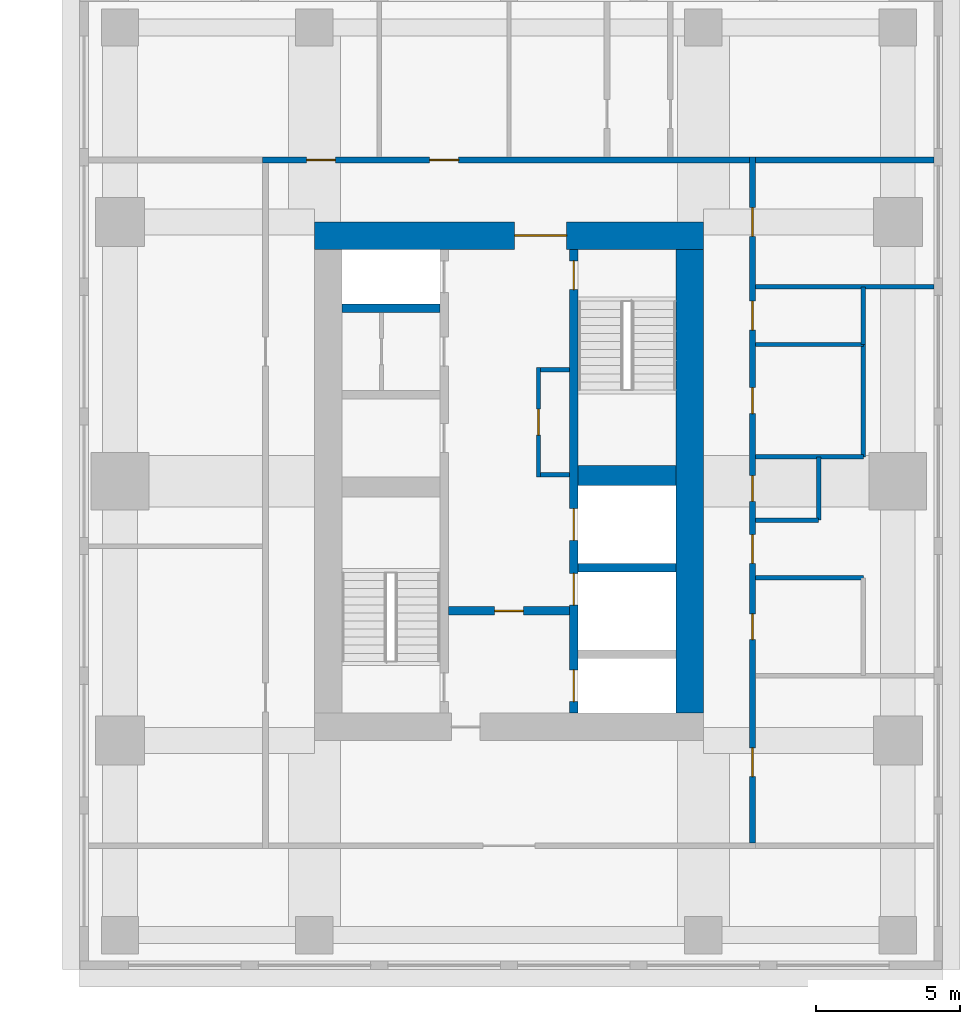
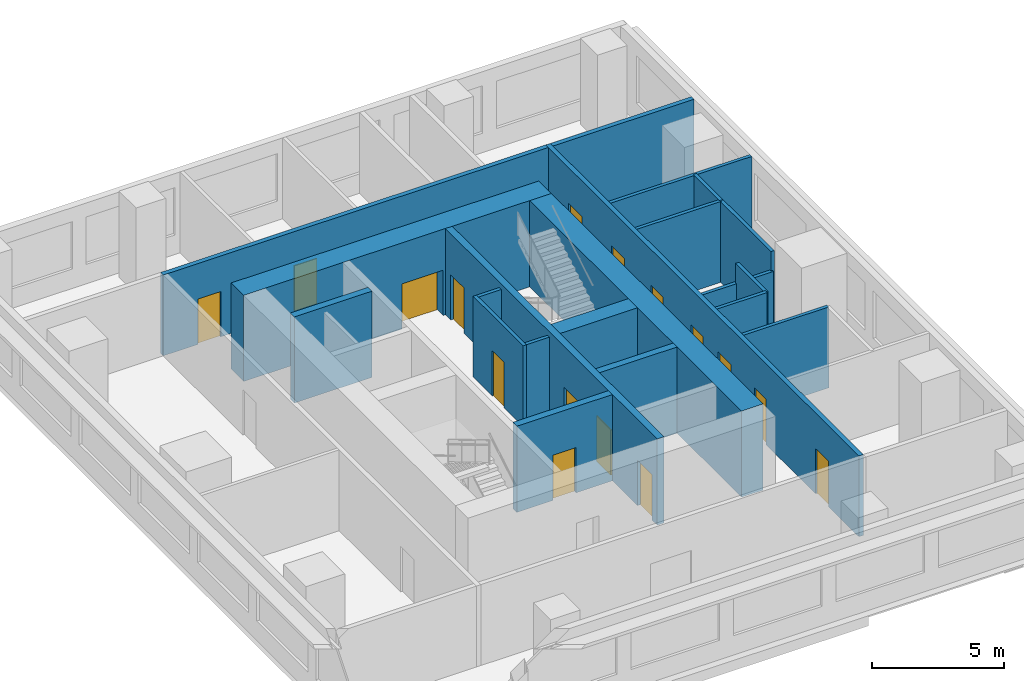
# One storey, part 7 of 11: 21 walls, 16 doors, 16 openings.
"""IFC4 building model written with IfcOpenShell, lengths in metres."""

import ifcopenshell
import ifcopenshell.guid

model = None  # the IFC model being written
_history = None  # IfcOwnerHistory: only IFC2X3 demands one
_inside = {}  # id of a spatial element -> (the spatial element, [elements in it])
_under = {}  # id of a project, library or spatial element -> (it, [spatial elements below it])
_declared = {}  # id of a project -> (the project, [libraries it declares])
_typed = {}  # id of a type object -> (the type object, [elements of that type])
_made_of = {}  # id of a material, layer set ... -> (it, [elements and type objects made of it])


def new_model(schema):
    """Start an empty IFC model of exactly this schema.

    Asked for "IFC4X3", IfcOpenShell would pick the latest addendum, in which some entities
    have other attributes; the version numbers below select the first issue.
    IFC2X3 requires an IfcOwnerHistory on every rooted entity: one is made here for all.
    """
    global model, _history
    if schema == "IFC4X3":
        model = ifcopenshell.file(schema_version=(4, 3, 0, 0))
    else:
        model = ifcopenshell.file(schema=schema)
    _inside.clear()
    _under.clear()
    _declared.clear()
    _typed.clear()
    _made_of.clear()
    _history = None
    if model.schema == "IFC2X3":
        org = make("IfcOrganization", Name="unknown")
        user = make(
            "IfcPersonAndOrganization",
            ThePerson=make("IfcPerson", FamilyName="unknown"),
            TheOrganization=org,
        )
        app = make(
            "IfcApplication",
            ApplicationDeveloper=org,
            Version="unknown",
            ApplicationFullName="unknown",
            ApplicationIdentifier="unknown",
        )
        _history = make(
            "IfcOwnerHistory",
            OwningUser=user,
            OwningApplication=app,
            ChangeAction="ADDED",
            CreationDate=0,
        )
    return model


def make(cls, **values):
    """One entity of the class cls with the attributes given. An attribute that is None is left unset."""
    return model.create_entity(
        cls, **{name: value for name, value in values.items() if value is not None}
    )


def rooted(cls, **values):
    """An entity with a GlobalId (a new one), such as an element, a storey or a relation."""
    return make(cls, GlobalId=ifcopenshell.guid.new(), OwnerHistory=_history, **values)


def si_unit(unit_type, name, prefix=None):
    """IfcSIUnit, for example si_unit("LENGTHUNIT", "METRE", prefix="MILLI")."""
    return make("IfcSIUnit", UnitType=unit_type, Prefix=prefix, Name=name)


def assignment(units):
    """IfcUnitAssignment: the units of a project."""
    return None if units is None else make("IfcUnitAssignment", Units=units)


def point(xyz):
    """IfcCartesianPoint."""
    return None if xyz is None else make("IfcCartesianPoint", Coordinates=xyz)


def direction(xyz):
    """IfcDirection."""
    return None if xyz is None else make("IfcDirection", DirectionRatios=xyz)


def frame(location, z_axis=None, x_axis=None):
    """IfcAxis2Placement3D, a coordinate frame: its origin and axes. An axis left out is left unset."""
    return make(
        "IfcAxis2Placement3D",
        Location=point(location),
        Axis=direction(z_axis),
        RefDirection=direction(x_axis),
    )


def frame_2d(location, x_axis=None):
    """IfcAxis2Placement2D, a coordinate frame in the plane: its origin and x axis."""
    return make(
        "IfcAxis2Placement2D", Location=point(location), RefDirection=direction(x_axis)
    )


def origin():
    """The frame at (0, 0, 0) with its axes left unset."""
    return frame((0.0, 0.0, 0.0))


def place(relative_to, where):
    """IfcLocalPlacement: puts the frame where relative to a parent placement (None: the world)."""
    return make(
        "IfcLocalPlacement", PlacementRelTo=relative_to, RelativePlacement=where
    )


def context(
    kind, dimensions, precision=None, world=None, true_north=None, identifier=None
):
    """IfcGeometricRepresentationContext, for example the 3D "Model" context."""
    return make(
        "IfcGeometricRepresentationContext",
        ContextIdentifier=identifier,
        ContextType=kind,
        CoordinateSpaceDimension=dimensions,
        Precision=precision,
        WorldCoordinateSystem=world,
        TrueNorth=true_north,
    )


def subcontext(parent, identifier, kind, view, scale=None):
    """IfcGeometricRepresentationSubContext, for example "Body" below "Model"."""
    return make(
        "IfcGeometricRepresentationSubContext",
        ContextIdentifier=identifier,
        ContextType=kind,
        ParentContext=parent,
        TargetScale=scale,
        TargetView=view,
    )


def project(units=None, contexts=None):
    """IfcProject with its units and contexts."""
    return rooted(
        "IfcProject",
        Name="project",
        RepresentationContexts=contexts,
        UnitsInContext=assignment(units),
    )


def spatial(cls, under=None, at=None, **own):
    """A site, building, storey or space (cls), placed at a placement, below another one or the project."""
    s = rooted(cls, ObjectPlacement=at, **own)
    if under is not None:
        _under.setdefault(under.id(), (under, []))[1].append(s)
    return s


def profile(cls, at=None, kind="AREA", **sizes):
    """A parametric profile (cls). Its sizes go by their IFC names, for example OverallWidth=200.0."""
    return make(cls, ProfileType=kind, Position=at, **sizes)


def rectangle(**sizes):
    """IfcRectangleProfileDef."""
    return profile("IfcRectangleProfileDef", **sizes)


def extrude(swept, where, along, depth):
    """IfcExtrudedAreaSolid: the profile swept, set in the frame where, extruded along a direction by depth."""
    return make(
        "IfcExtrudedAreaSolid",
        SweptArea=swept,
        Position=where,
        ExtrudedDirection=direction(along),
        Depth=depth,
    )


def shape(context_of_items, identifier, shape_type, items):
    """IfcShapeRepresentation: the items that make up one representation, for example the "Body"."""
    return make(
        "IfcShapeRepresentation",
        ContextOfItems=context_of_items,
        RepresentationIdentifier=identifier,
        RepresentationType=shape_type,
        Items=items,
    )


def material(Name=None, Category=None):
    """IfcMaterial."""
    return make("IfcMaterial", Name=Name, Category=Category)


def layer(
    of_material, thickness, ventilated=None, Name=None, Category=None, Priority=None
):
    """IfcMaterialLayer: one layer of a wall or slab, of a material (None: an air gap)."""
    return make(
        "IfcMaterialLayer",
        Material=of_material,
        LayerThickness=thickness,
        IsVentilated=ventilated,
        Name=Name,
        Category=Category,
        Priority=Priority,
    )


def layer_set(layers, Name=None):
    """IfcMaterialLayerSet."""
    return make("IfcMaterialLayerSet", MaterialLayers=layers, LayerSetName=Name)


def made_of(thing, what):
    """Note that an element or type object is made of a material, layer set ...; save() writes the relation."""
    if what is not None:
        _made_of.setdefault(what.id(), (what, []))[1].append(thing)
    return thing


def type_object(cls, material=None, **own):
    """A type object (cls), such as IfcWallType, which elements share."""
    return made_of(rooted(cls, **own), material)


def element(
    cls,
    number,
    at=None,
    inside=None,
    cuts=None,
    type_object=None,
    material=None,
    context=None,
    identifier="Body",
    shape_type=None,
    held_by="IfcProductDefinitionShape",
    body=None,
    shapes=None,
    **own,
):
    """One element of the class cls, such as IfcWall. Its Tag is "e" and its number.

    at: its placement. inside: the storey or other place that contains it. cuts: it is an
    opening in that element (IfcRelVoidsElement). A single representation is given by context,
    identifier, shape_type and body (its items); several are given by shapes. held_by: the class
    of the entity that holds the representations. save() writes the other relations.
    """
    e = rooted(cls, Tag="e%d" % number, ObjectPlacement=at, **own)
    if body is not None:
        shapes = [shape(context, identifier, shape_type, body)]
    if shapes is not None:
        e.Representation = make(held_by, Representations=shapes)
    if inside is not None:
        _inside.setdefault(inside.id(), (inside, []))[1].append(e)
    if cuts is not None:
        rooted(
            "IfcRelVoidsElement", RelatingBuildingElement=cuts, RelatedOpeningElement=e
        )
    if type_object is not None:
        _typed.setdefault(type_object.id(), (type_object, []))[1].append(e)
    return made_of(e, material)


def fill(opening, filler):
    """IfcRelFillsElement: the door or window that sits in an opening."""
    return rooted(
        "IfcRelFillsElement",
        RelatingOpeningElement=opening,
        RelatedBuildingElement=filler,
    )


def aggregate(whole, parts):
    """IfcRelAggregates: a whole, such as a stair, and the parts it consists of."""
    return rooted("IfcRelAggregates", RelatingObject=whole, RelatedObjects=parts)


def save(model, path):
    """Write the relations noted so far, then the file.

    IfcRelAggregates (storeys below a building ...), IfcRelContainedInSpatialStructure (elements
    in a storey), IfcRelDefinesByType, IfcRelAssociatesMaterial and IfcRelDeclares: one each for
    every whole, place, type object, material and project.
    """
    for whole, parts in _under.values():
        aggregate(whole, parts)
    for where, things in _inside.values():
        rooted(
            "IfcRelContainedInSpatialStructure",
            RelatedElements=things,
            RelatingStructure=where,
        )
    for kind, things in _typed.values():
        rooted("IfcRelDefinesByType", RelatedObjects=things, RelatingType=kind)
    for what, things in _made_of.values():
        rooted("IfcRelAssociatesMaterial", RelatedObjects=things, RelatingMaterial=what)
    for by, libraries in _declared.values():
        rooted("IfcRelDeclares", RelatingContext=by, RelatedDefinitions=libraries)
    model.write(path)


model = new_model("IFC4")

# Units and contexts
model_context = context("Model", 3, precision=1e-05, world=origin(), true_north=direction((0.0, 1.0)))
body_context = subcontext(model_context, "Body", "Model", "MODEL_VIEW")
ifc_project = project(units=[si_unit("LENGTHUNIT", "METRE"), si_unit("AREAUNIT", "SQUARE_METRE"), si_unit("VOLUMEUNIT", "CUBIC_METRE"), si_unit("PLANEANGLEUNIT", "RADIAN"), si_unit("MASSUNIT", "GRAM", prefix="KILO")], contexts=[model_context])

# Site, building, storey
site_placement = place(None, origin())
site = spatial("IfcSite", under=ifc_project, at=site_placement, CompositionType="ELEMENT")
building_placement = place(site_placement, origin())
building = spatial("IfcBuilding", under=site, at=building_placement, Name="Namib Vertical Campus", CompositionType="ELEMENT")
storey_placement = place(building_placement, frame((0.0, 0.0, 209.0)))
storey = spatial("IfcBuildingStorey", under=building, at=storey_placement, Name="L49", CompositionType="ELEMENT", Elevation=209.0)

# Wall, openings, doors
ifc_material_1 = material(Name="Concrete C60/75", Category="concrete")
ifc_layer_1 = layer(ifc_material_1, 0.300048828125)
ifc_layer_set_1 = layer_set([ifc_layer_1], Name="Concrete C60/75")
wall_type_1 = type_object("IfcWallType", Name="Core inner wall 300", PredefinedType="SHEAR", material=ifc_layer_set_1)
wall_1_placement = place(storey_placement, frame((83.25, 12.199951171875, 0.0), z_axis=(0.0, 0.0, 1.0), x_axis=(0.0, 1.0, 0.0)))
wall_1 = element("IfcWall", 1, at=wall_1_placement, inside=storey, type_object=wall_type_1, Name="Core inner wall B L49 W2", PredefinedType="SHEAR", context=body_context, shape_type="SweptSolid", body=[
    extrude(rectangle(XDim=16.10009765625, YDim=0.300048828125, at=frame_2d((8.050048828125, 0.0))), origin(), (0.0, 0.0, 1.0), 4.0),
])
opening_1_placement = place(wall_1_placement, frame((14.699951171875, 0.0, 0.0)))
opening_1 = element("IfcOpeningElement", 2, at=opening_1_placement, cuts=wall_1, Name="Opening FD1", PredefinedType="OPENING", context=body_context, shape_type="SweptSolid", body=[
    extrude(rectangle(XDim=1.0, YDim=2.10009765625, at=frame_2d((0.5, 1.050048828125))), frame((0.0, 0.159912109375, 0.0), z_axis=(0.0, -1.0, 0.0), x_axis=(1.0, 0.0, 0.0)), (0.0, 0.0, 1.0), 0.320068359375),
])
opening_2_placement = place(wall_1_placement, frame((0.39990234375, 0.0, 0.0)))
opening_2 = element("IfcOpeningElement", 3, at=opening_2_placement, cuts=wall_1, Name="Opening LD1", PredefinedType="OPENING", context=body_context, shape_type="SweptSolid", body=[
    extrude(rectangle(XDim=1.10009765625, YDim=2.10009765625, at=frame_2d((0.550048828125, 1.050048828125))), frame((0.0, 0.159912109375, 0.0), z_axis=(0.0, -1.0, 0.0), x_axis=(1.0, 0.0, 0.0)), (0.0, 0.0, 1.0), 0.320068359375),
])
opening_3_placement = place(wall_1_placement, frame((3.75, 0.0, 0.0)))
opening_3 = element("IfcOpeningElement", 4, at=opening_3_placement, cuts=wall_1, Name="Opening LD1", PredefinedType="OPENING", context=body_context, shape_type="SweptSolid", body=[
    extrude(rectangle(XDim=1.10009765625, YDim=2.10009765625, at=frame_2d((0.550048828125, 1.050048828125))), frame((0.0, 0.159912109375, 0.0), z_axis=(0.0, -1.0, 0.0), x_axis=(1.0, 0.0, 0.0)), (0.0, 0.0, 1.0), 0.320068359375),
])
opening_4_placement = place(wall_1_placement, frame((6.0, 0.0, 0.0)))
opening_4 = element("IfcOpeningElement", 5, at=opening_4_placement, cuts=wall_1, Name="Opening LD1", PredefinedType="OPENING", context=body_context, shape_type="SweptSolid", body=[
    extrude(rectangle(XDim=1.10009765625, YDim=2.10009765625, at=frame_2d((0.550048828125, 1.050048828125))), frame((0.0, 0.159912109375, 0.0), z_axis=(0.0, -1.0, 0.0), x_axis=(1.0, 0.0, 0.0)), (0.0, 0.0, 1.0), 0.320068359375),
])
ifc_material_2 = material(Name="Steel fire door", Category="steel")
door_type_1 = type_object("IfcDoorType", Name="Fire door 1000x2100", OperationType="SINGLE_SWING_RIGHT", PredefinedType="DOOR", material=ifc_material_2)
door_1_placement = place(opening_1_placement, frame((1.0, 0.0, 0.0), z_axis=(0.0, 0.0, 1.0), x_axis=(-1.0, 0.0, 0.0)))
door_1 = element("IfcDoor", 6, at=door_1_placement, inside=storey, type_object=door_type_1, Name="Stair door FD1 B L49 S2", OperationType="SINGLE_SWING_LEFT", OverallHeight=2.10009765625, OverallWidth=1.0, PredefinedType="DOOR", context=body_context, shape_type="SweptSolid", body=[
    extrude(rectangle(XDim=1.0, YDim=2.10009765625, at=frame_2d((0.5, 1.050048828125))), frame((0.0, 0.02490234375, 0.0), z_axis=(0.0, -1.0, 0.0), x_axis=(1.0, 0.0, 0.0)), (0.0, 0.0, 1.0), 0.050048828125),
])
fill(opening_1, door_1)
ifc_material_3 = material(Name="Stainless steel lift door", Category="steel")
door_type_2 = type_object("IfcDoorType", Name="Lift landing door 1100x2100", OperationType="DOUBLE_DOOR_SLIDING", PredefinedType="DOOR", material=ifc_material_3)
door_2_placement = place(opening_2_placement, origin())
door_2 = element("IfcDoor", 7, at=door_2_placement, inside=storey, type_object=door_type_2, Name="Lift landing door LD1 B-FL1 L49", OperationType="DOUBLE_DOOR_SLIDING", OverallHeight=2.10009765625, OverallWidth=1.10009765625, PredefinedType="DOOR", context=body_context, shape_type="SweptSolid", body=[
    extrude(rectangle(XDim=1.10009765625, YDim=2.10009765625, at=frame_2d((0.550048828125, 1.050048828125))), frame((0.0, 0.02490234375, 0.0), z_axis=(0.0, -1.0, 0.0), x_axis=(1.0, 0.0, 0.0)), (0.0, 0.0, 1.0), 0.050048828125),
])
fill(opening_2, door_2)
door_3_placement = place(opening_3_placement, origin())
door_3 = element("IfcDoor", 8, at=door_3_placement, inside=storey, type_object=door_type_2, Name="Lift landing door LD1 B-P4 L49", OperationType="DOUBLE_DOOR_SLIDING", OverallHeight=2.10009765625, OverallWidth=1.10009765625, PredefinedType="DOOR", context=body_context, shape_type="SweptSolid", body=[
    extrude(rectangle(XDim=1.10009765625, YDim=2.10009765625, at=frame_2d((0.550048828125, 1.050048828125))), frame((0.0, 0.02490234375, 0.0), z_axis=(0.0, -1.0, 0.0), x_axis=(1.0, 0.0, 0.0)), (0.0, 0.0, 1.0), 0.050048828125),
])
fill(opening_3, door_3)
door_4_placement = place(opening_4_placement, origin())
door_4 = element("IfcDoor", 9, at=door_4_placement, inside=storey, type_object=door_type_2, Name="Lift landing door LD1 B-P5 L49", OperationType="DOUBLE_DOOR_SLIDING", OverallHeight=2.10009765625, OverallWidth=1.10009765625, PredefinedType="DOOR", context=body_context, shape_type="SweptSolid", body=[
    extrude(rectangle(XDim=1.10009765625, YDim=2.10009765625, at=frame_2d((0.550048828125, 1.050048828125))), frame((0.0, 0.02490234375, 0.0), z_axis=(0.0, -1.0, 0.0), x_axis=(1.0, 0.0, 0.0)), (0.0, 0.0, 1.0), 0.050048828125),
])
fill(opening_4, door_4)

# Wall, opening, door
wall_2_placement = place(storey_placement, frame((78.89990234375, 15.75, 0.0), z_axis=(0.0, 0.0, 1.0), x_axis=(1.0, 0.0, 0.0)))
wall_2 = element("IfcWall", 10, at=wall_2_placement, inside=storey, type_object=wall_type_1, Name="Core inner wall B L49 W4", PredefinedType="SHEAR", context=body_context, shape_type="SweptSolid", body=[
    extrude(rectangle(XDim=4.2001953125, YDim=0.300048828125, at=frame_2d((2.10009765625, 0.0))), origin(), (0.0, 0.0, 1.0), 4.0),
])
opening_5_placement = place(wall_2_placement, frame((1.60009765625, 0.0, 0.0)))
opening_5 = element("IfcOpeningElement", 11, at=opening_5_placement, cuts=wall_2, Name="Opening FD5", PredefinedType="OPENING", context=body_context, shape_type="SweptSolid", body=[
    extrude(rectangle(XDim=1.0, YDim=2.10009765625, at=frame_2d((0.5, 1.050048828125))), frame((0.0, 0.159912109375, 0.0), z_axis=(0.0, -1.0, 0.0), x_axis=(1.0, 0.0, 0.0)), (0.0, 0.0, 1.0), 0.320068359375),
])
ifc_material_4 = material(Name="Steel fire door", Category="steel")
door_type_3 = type_object("IfcDoorType", Name="Fire door 1000x2100 120 min", OperationType="SINGLE_SWING_RIGHT", PredefinedType="DOOR", material=ifc_material_4)
door_5_placement = place(opening_5_placement, frame((1.0, 0.0, 0.0), z_axis=(0.0, 0.0, 1.0), x_axis=(-1.0, 0.0, 0.0)))
door_5 = element("IfcDoor", 12, at=door_5_placement, inside=storey, type_object=door_type_3, Name="Lobby door FD5 B L49", OperationType="SINGLE_SWING_RIGHT", OverallHeight=2.10009765625, OverallWidth=1.0, PredefinedType="DOOR", context=body_context, shape_type="SweptSolid", body=[
    extrude(rectangle(XDim=1.0, YDim=2.10009765625, at=frame_2d((0.5, 1.050048828125))), frame((0.0, 0.02490234375, 0.0), z_axis=(0.0, -1.0, 0.0), x_axis=(1.0, 0.0, 0.0)), (0.0, 0.0, 1.0), 0.050048828125),
])
fill(opening_5, door_5)

# Walls
for number, where, z_axis, x_axis, name in (
    (13, (83.39990234375, 17.25, 0.0), (0.0, 0.0, 1.0), (1.0, 0.0, 0.0), "Core inner wall B L49 W6"),
    (14, (75.199951171875, 26.25, 0.0), (0.0, 0.0, 1.0), (1.0, 0.0, 0.0), "Core inner wall B L49 W9"),
):
    element("IfcWall", number, at=place(storey_placement, frame(where, z_axis=z_axis, x_axis=x_axis)), inside=storey, type_object=wall_type_1, Name=name, PredefinedType="SHEAR", context=body_context, shape_type="SweptSolid", body=[
        extrude(rectangle(XDim=3.400146484375, YDim=0.300048828125, at=frame_2d((1.7001953125, 0.0))), origin(), (0.0, 0.0, 1.0), 4.0),
    ])
ifc_material_5 = material(Name="Concrete C60/75", Category="concrete")
ifc_layer_2 = layer(ifc_material_5, 0.699951171875)
ifc_layer_set_2 = layer_set([ifc_layer_2], Name="Concrete C60/75")
wall_type_2 = type_object("IfcWallType", Name="Core shear wall 700", PredefinedType="SHEAR", material=ifc_layer_set_2)
wall_3_placement = place(storey_placement, frame((83.39990234375, 20.449951171875, 0.0), z_axis=(0.0, 0.0, 1.0), x_axis=(1.0, 0.0, 0.0)))
element("IfcWall", 15, at=wall_3_placement, inside=storey, type_object=wall_type_2, Name="Core shear wall B L49 W7", PredefinedType="SHEAR", context=body_context, shape_type="SweptSolid", body=[
    extrude(rectangle(XDim=3.400146484375, YDim=0.699951171875, at=frame_2d((1.7001953125, 0.0))), origin(), (0.0, 0.0, 1.0), 4.0),
])
ifc_material_6 = material(Name="Concrete C60/75", Category="concrete")
ifc_layer_3 = layer(ifc_material_6, 0.949951171875)
ifc_layer_set_3 = layer_set([ifc_layer_3], Name="Concrete C60/75")
wall_type_3 = type_object("IfcWallType", Name="Core wall 950", PredefinedType="SHEAR", material=ifc_layer_set_3)
wall_4_placement = place(storey_placement, frame((87.27490234375, 12.199951171875, 0.0), z_axis=(0.0, 0.0, 1.0), x_axis=(0.0, 1.0, 0.0)))
element("IfcWall", 16, at=wall_4_placement, inside=storey, type_object=wall_type_3, Name="Core wall B L49 2", PredefinedType="SHEAR", context=body_context, shape_type="SweptSolid", body=[
    extrude(rectangle(XDim=16.10009765625, YDim=0.949951171875, at=frame_2d((8.050048828125, 0.0))), origin(), (0.0, 0.0, 1.0), 4.0),
])

# Wall, opening, door
wall_5_placement = place(storey_placement, frame((87.75, 28.77490234375, 0.0), z_axis=(0.0, 0.0, 1.0), x_axis=(-1.0, 0.0, 0.0)))
wall_5 = element("IfcWall", 17, at=wall_5_placement, inside=storey, type_object=wall_type_3, Name="Core wall B L49 3", PredefinedType="SHEAR", context=body_context, shape_type="SweptSolid", body=[
    extrude(rectangle(XDim=13.5, YDim=0.949951171875, at=frame_2d((6.75, 0.0))), origin(), (0.0, 0.0, 1.0), 4.0),
])
opening_6_placement = place(wall_5_placement, frame((4.75, 0.0, 0.0)))
opening_6 = element("IfcOpeningElement", 18, at=opening_6_placement, cuts=wall_5, Name="Opening FD2", PredefinedType="OPENING", context=body_context, shape_type="SweptSolid", body=[
    extrude(rectangle(XDim=1.800048828125, YDim=2.10009765625, at=frame_2d((0.89990234375, 1.050048828125))), frame((0.0, 0.48486328125, 0.0), z_axis=(0.0, -1.0, 0.0), x_axis=(1.0, 0.0, 0.0)), (0.0, 0.0, 1.0), 0.969970703125),
])
ifc_material_7 = material(Name="Steel fire door", Category="steel")
door_type_4 = type_object("IfcDoorType", Name="Fire door double 1800x2100", OperationType="DOUBLE_DOOR_SINGLE_SWING", PredefinedType="DOOR", material=ifc_material_7)
door_6_placement = place(opening_6_placement, origin())
door_6 = element("IfcDoor", 19, at=door_6_placement, inside=storey, type_object=door_type_4, Name="Lift lobby door FD2 B L49", OperationType="DOUBLE_DOOR_SINGLE_SWING", OverallHeight=2.10009765625, OverallWidth=1.800048828125, PredefinedType="DOOR", context=body_context, shape_type="SweptSolid", body=[
    extrude(rectangle(XDim=1.800048828125, YDim=2.10009765625, at=frame_2d((0.89990234375, 1.050048828125))), frame((0.0, 0.02490234375, 0.0), z_axis=(0.0, -1.0, 0.0), x_axis=(1.0, 0.0, 0.0)), (0.0, 0.0, 1.0), 0.050048828125),
])
fill(opening_6, door_6)

# Wall, openings, doors
ifc_material_8 = material(Name="Concrete masonry", Category="masonry")
ifc_layer_4 = layer(ifc_material_8, 0.199951171875)
ifc_layer_set_4 = layer_set([ifc_layer_4], Name="Corridor wall 200")
wall_type_4 = type_object("IfcWallType", Name="Corridor wall 200", PredefinedType="SOLIDWALL", material=ifc_layer_set_4)
wall_6_placement = place(storey_placement, frame((89.449951171875, 7.699951171875, 0.0), z_axis=(0.0, 0.0, 1.0), x_axis=(0.0, 1.0, 0.0)))
wall_6 = element("IfcWall", 20, at=wall_6_placement, inside=storey, type_object=wall_type_4, Name="Corridor wall B L49 CE", PredefinedType="SOLIDWALL", context=body_context, shape_type="SweptSolid", body=[
    extrude(rectangle(XDim=23.800048828125, YDim=0.199951171875, at=frame_2d((11.89990234375, 0.0))), origin(), (0.0, 0.0, 1.0), 3.75),
])
opening_7_placement = place(wall_6_placement, frame((2.300048828125, 0.0, 0.0)))
opening_7 = element("IfcOpeningElement", 21, at=opening_7_placement, cuts=wall_6, Name="Opening CD1", PredefinedType="OPENING", context=body_context, shape_type="SweptSolid", body=[
    extrude(rectangle(XDim=1.0, YDim=2.10009765625, at=frame_2d((0.5, 1.050048828125))), frame((0.0, 0.10986328125, 0.0), z_axis=(0.0, -1.0, 0.0), x_axis=(1.0, 0.0, 0.0)), (0.0, 0.0, 1.0), 0.219970703125),
])
opening_8_placement = place(wall_6_placement, frame((7.050048828125, 0.0, 0.0)))
opening_8 = element("IfcOpeningElement", 22, at=opening_8_placement, cuts=wall_6, Name="Opening CD3", PredefinedType="OPENING", context=body_context, shape_type="SweptSolid", body=[
    extrude(rectangle(XDim=0.89990234375, YDim=2.10009765625, at=frame_2d((0.449951171875, 1.050048828125))), frame((0.0, 0.10986328125, 0.0), z_axis=(0.0, -1.0, 0.0), x_axis=(1.0, 0.0, 0.0)), (0.0, 0.0, 1.0), 0.219970703125),
])
opening_9_placement = place(wall_6_placement, frame((11.85009765625, 0.0, 0.0)))
opening_9 = element("IfcOpeningElement", 23, at=opening_9_placement, cuts=wall_6, Name="Opening CD3", PredefinedType="OPENING", context=body_context, shape_type="SweptSolid", body=[
    extrude(rectangle(XDim=0.89990234375, YDim=2.10009765625, at=frame_2d((0.449951171875, 1.050048828125))), frame((0.0, 0.10986328125, 0.0), z_axis=(0.0, -1.0, 0.0), x_axis=(1.0, 0.0, 0.0)), (0.0, 0.0, 1.0), 0.219970703125),
])
opening_10_placement = place(wall_6_placement, frame((14.89990234375, 0.0, 0.0)))
opening_10 = element("IfcOpeningElement", 24, at=opening_10_placement, cuts=wall_6, Name="Opening CD3", PredefinedType="OPENING", context=body_context, shape_type="SweptSolid", body=[
    extrude(rectangle(XDim=0.89990234375, YDim=2.10009765625, at=frame_2d((0.449951171875, 1.050048828125))), frame((0.0, 0.10986328125, 0.0), z_axis=(0.0, -1.0, 0.0), x_axis=(1.0, 0.0, 0.0)), (0.0, 0.0, 1.0), 0.219970703125),
])
opening_11_placement = place(wall_6_placement, frame((17.800048828125, 0.0, 0.0)))
opening_11 = element("IfcOpeningElement", 25, at=opening_11_placement, cuts=wall_6, Name="Opening CD1", PredefinedType="OPENING", context=body_context, shape_type="SweptSolid", body=[
    extrude(rectangle(XDim=1.0, YDim=2.10009765625, at=frame_2d((0.5, 1.050048828125))), frame((0.0, 0.10986328125, 0.0), z_axis=(0.0, -1.0, 0.0), x_axis=(1.0, 0.0, 0.0)), (0.0, 0.0, 1.0), 0.219970703125),
])
opening_12_placement = place(wall_6_placement, frame((9.699951171875, 0.0, 0.0)))
opening_12 = element("IfcOpeningElement", 26, at=opening_12_placement, cuts=wall_6, Name="Opening CD1", PredefinedType="OPENING", context=body_context, shape_type="SweptSolid", body=[
    extrude(rectangle(XDim=1.0, YDim=2.10009765625, at=frame_2d((0.5, 1.050048828125))), frame((0.0, 0.10986328125, 0.0), z_axis=(0.0, -1.0, 0.0), x_axis=(1.0, 0.0, 0.0)), (0.0, 0.0, 1.0), 0.219970703125),
])
opening_13_placement = place(wall_6_placement, frame((21.050048828125, 0.0, 0.0)))
opening_13 = element("IfcOpeningElement", 27, at=opening_13_placement, cuts=wall_6, Name="Opening CD1", PredefinedType="OPENING", context=body_context, shape_type="SweptSolid", body=[
    extrude(rectangle(XDim=1.0, YDim=2.10009765625, at=frame_2d((0.5, 1.050048828125))), frame((0.0, 0.10986328125, 0.0), z_axis=(0.0, -1.0, 0.0), x_axis=(1.0, 0.0, 0.0)), (0.0, 0.0, 1.0), 0.219970703125),
])
ifc_material_9 = material(Name="Timber fire door leaf", Category="wood")
door_type_5 = type_object("IfcDoorType", Name="Corridor door 1000x2100 20 min", OperationType="SINGLE_SWING_LEFT", PredefinedType="DOOR", material=ifc_material_9)
door_7_placement = place(opening_7_placement, frame((1.0, 0.0, 0.0), z_axis=(0.0, 0.0, 1.0), x_axis=(-1.0, 0.0, 0.0)))
door_7 = element("IfcDoor", 28, at=door_7_placement, inside=storey, type_object=door_type_5, Name="Door CD1 B49-02", OperationType="SINGLE_SWING_RIGHT", OverallHeight=2.10009765625, OverallWidth=1.0, PredefinedType="DOOR", context=body_context, shape_type="SweptSolid", body=[
    extrude(rectangle(XDim=1.0, YDim=2.10009765625, at=frame_2d((0.5, 1.050048828125))), frame((0.0, 0.02490234375, 0.0), z_axis=(0.0, -1.0, 0.0), x_axis=(1.0, 0.0, 0.0)), (0.0, 0.0, 1.0), 0.050048828125),
])
fill(opening_7, door_7)
door_8_placement = place(opening_11_placement, frame((1.0, 0.0, 0.0), z_axis=(0.0, 0.0, 1.0), x_axis=(-1.0, 0.0, 0.0)))
door_8 = element("IfcDoor", 29, at=door_8_placement, inside=storey, type_object=door_type_5, Name="Door CD1 B49-06", OperationType="SINGLE_SWING_RIGHT", OverallHeight=2.10009765625, OverallWidth=1.0, PredefinedType="DOOR", context=body_context, shape_type="SweptSolid", body=[
    extrude(rectangle(XDim=1.0, YDim=2.10009765625, at=frame_2d((0.5, 1.050048828125))), frame((0.0, 0.02490234375, 0.0), z_axis=(0.0, -1.0, 0.0), x_axis=(1.0, 0.0, 0.0)), (0.0, 0.0, 1.0), 0.050048828125),
])
fill(opening_11, door_8)
door_9_placement = place(opening_12_placement, frame((1.0, 0.0, 0.0), z_axis=(0.0, 0.0, 1.0), x_axis=(-1.0, 0.0, 0.0)))
door_9 = element("IfcDoor", 30, at=door_9_placement, inside=storey, type_object=door_type_5, Name="Door CD1 B49-07", OperationType="SINGLE_SWING_RIGHT", OverallHeight=2.10009765625, OverallWidth=1.0, PredefinedType="DOOR", context=body_context, shape_type="SweptSolid", body=[
    extrude(rectangle(XDim=1.0, YDim=2.10009765625, at=frame_2d((0.5, 1.050048828125))), frame((0.0, 0.02490234375, 0.0), z_axis=(0.0, -1.0, 0.0), x_axis=(1.0, 0.0, 0.0)), (0.0, 0.0, 1.0), 0.050048828125),
])
fill(opening_12, door_9)
door_10_placement = place(opening_13_placement, frame((1.0, 0.0, 0.0), z_axis=(0.0, 0.0, 1.0), x_axis=(-1.0, 0.0, 0.0)))
door_10 = element("IfcDoor", 31, at=door_10_placement, inside=storey, type_object=door_type_5, Name="Door CD1 B49-08", OperationType="SINGLE_SWING_RIGHT", OverallHeight=2.10009765625, OverallWidth=1.0, PredefinedType="DOOR", context=body_context, shape_type="SweptSolid", body=[
    extrude(rectangle(XDim=1.0, YDim=2.10009765625, at=frame_2d((0.5, 1.050048828125))), frame((0.0, 0.02490234375, 0.0), z_axis=(0.0, -1.0, 0.0), x_axis=(1.0, 0.0, 0.0)), (0.0, 0.0, 1.0), 0.050048828125),
])
fill(opening_13, door_10)
ifc_material_10 = material(Name="Timber fire door leaf", Category="wood")
door_type_6 = type_object("IfcDoorType", Name="Corridor toilet door 900x2100 20 min", OperationType="SINGLE_SWING_LEFT", PredefinedType="DOOR", material=ifc_material_10)
door_11_placement = place(opening_8_placement, frame((0.89990234375, 0.0, 0.0), z_axis=(0.0, 0.0, 1.0), x_axis=(-1.0, 0.0, 0.0)))
door_11 = element("IfcDoor", 32, at=door_11_placement, inside=storey, type_object=door_type_6, Name="Door CD3 B49-03", OperationType="SINGLE_SWING_RIGHT", OverallHeight=2.10009765625, OverallWidth=0.89990234375, PredefinedType="DOOR", context=body_context, shape_type="SweptSolid", body=[
    extrude(rectangle(XDim=0.89990234375, YDim=2.10009765625, at=frame_2d((0.449951171875, 1.050048828125))), frame((0.0, 0.02490234375, 0.0), z_axis=(0.0, -1.0, 0.0), x_axis=(1.0, 0.0, 0.0)), (0.0, 0.0, 1.0), 0.050048828125),
])
fill(opening_8, door_11)
door_12_placement = place(opening_9_placement, frame((0.89990234375, 0.0, 0.0), z_axis=(0.0, 0.0, 1.0), x_axis=(-1.0, 0.0, 0.0)))
door_12 = element("IfcDoor", 33, at=door_12_placement, inside=storey, type_object=door_type_6, Name="Door CD3 B49-04", OperationType="SINGLE_SWING_RIGHT", OverallHeight=2.10009765625, OverallWidth=0.89990234375, PredefinedType="DOOR", context=body_context, shape_type="SweptSolid", body=[
    extrude(rectangle(XDim=0.89990234375, YDim=2.10009765625, at=frame_2d((0.449951171875, 1.050048828125))), frame((0.0, 0.02490234375, 0.0), z_axis=(0.0, -1.0, 0.0), x_axis=(1.0, 0.0, 0.0)), (0.0, 0.0, 1.0), 0.050048828125),
])
fill(opening_9, door_12)
door_13_placement = place(opening_10_placement, frame((0.89990234375, 0.0, 0.0), z_axis=(0.0, 0.0, 1.0), x_axis=(-1.0, 0.0, 0.0)))
door_13 = element("IfcDoor", 34, at=door_13_placement, inside=storey, type_object=door_type_6, Name="Door CD3 B49-05", OperationType="SINGLE_SWING_RIGHT", OverallHeight=2.10009765625, OverallWidth=0.89990234375, PredefinedType="DOOR", context=body_context, shape_type="SweptSolid", body=[
    extrude(rectangle(XDim=0.89990234375, YDim=2.10009765625, at=frame_2d((0.449951171875, 1.050048828125))), frame((0.0, 0.02490234375, 0.0), z_axis=(0.0, -1.0, 0.0), x_axis=(1.0, 0.0, 0.0)), (0.0, 0.0, 1.0), 0.050048828125),
])
fill(opening_10, door_13)

wall_7_placement = place(storey_placement, frame((89.35009765625, 31.39990234375, 0.0), z_axis=(0.0, 0.0, 1.0), x_axis=(-1.0, 0.0, 0.0)))
wall_7 = element("IfcWall", 35, at=wall_7_placement, inside=storey, type_object=wall_type_4, Name="Corridor wall B L49 CN", PredefinedType="SOLIDWALL", context=body_context, shape_type="SweptSolid", body=[
    extrude(rectangle(XDim=16.900146484375, YDim=0.199951171875, at=frame_2d((8.4501953125, 0.0))), origin(), (0.0, 0.0, 1.0), 3.75),
])
opening_14_placement = place(wall_7_placement, frame((14.375, 0.0, 0.0)))
opening_14 = element("IfcOpeningElement", 36, at=opening_14_placement, cuts=wall_7, Name="Opening CD1", PredefinedType="OPENING", context=body_context, shape_type="SweptSolid", body=[
    extrude(rectangle(XDim=1.0, YDim=2.10009765625, at=frame_2d((0.5, 1.050048828125))), frame((0.0, 0.10986328125, 0.0), z_axis=(0.0, -1.0, 0.0), x_axis=(1.0, 0.0, 0.0)), (0.0, 0.0, 1.0), 0.219970703125),
])
opening_15_placement = place(wall_7_placement, frame((10.10009765625, 0.0, 0.0)))
opening_15 = element("IfcOpeningElement", 37, at=opening_15_placement, cuts=wall_7, Name="Opening CD1", PredefinedType="OPENING", context=body_context, shape_type="SweptSolid", body=[
    extrude(rectangle(XDim=1.0, YDim=2.10009765625, at=frame_2d((0.5, 1.050048828125))), frame((0.0, 0.10986328125, 0.0), z_axis=(0.0, -1.0, 0.0), x_axis=(1.0, 0.0, 0.0)), (0.0, 0.0, 1.0), 0.219970703125),
])
door_14_placement = place(opening_14_placement, frame((1.0, 0.0, 0.0), z_axis=(0.0, 0.0, 1.0), x_axis=(-1.0, 0.0, 0.0)))
door_14 = element("IfcDoor", 38, at=door_14_placement, inside=storey, type_object=door_type_5, Name="Door CD1 B49-09", OperationType="SINGLE_SWING_RIGHT", OverallHeight=2.10009765625, OverallWidth=1.0, PredefinedType="DOOR", context=body_context, shape_type="SweptSolid", body=[
    extrude(rectangle(XDim=1.0, YDim=2.10009765625, at=frame_2d((0.5, 1.050048828125))), frame((0.0, 0.02490234375, 0.0), z_axis=(0.0, -1.0, 0.0), x_axis=(1.0, 0.0, 0.0)), (0.0, 0.0, 1.0), 0.050048828125),
])
fill(opening_14, door_14)
door_15_placement = place(opening_15_placement, frame((1.0, 0.0, 0.0), z_axis=(0.0, 0.0, 1.0), x_axis=(-1.0, 0.0, 0.0)))
door_15 = element("IfcDoor", 39, at=door_15_placement, inside=storey, type_object=door_type_5, Name="Door CD1 B49-10", OperationType="SINGLE_SWING_RIGHT", OverallHeight=2.10009765625, OverallWidth=1.0, PredefinedType="DOOR", context=body_context, shape_type="SweptSolid", body=[
    extrude(rectangle(XDim=1.0, YDim=2.10009765625, at=frame_2d((0.5, 1.050048828125))), frame((0.0, 0.02490234375, 0.0), z_axis=(0.0, -1.0, 0.0), x_axis=(1.0, 0.0, 0.0)), (0.0, 0.0, 1.0), 0.050048828125),
])
fill(opening_15, door_15)

# Wall
wall_8_placement = place(storey_placement, frame((89.550048828125, 31.39990234375, 0.0), z_axis=(0.0, 0.0, 1.0), x_axis=(1.0, 0.0, 0.0)))
element("IfcWall", 40, at=wall_8_placement, inside=storey, type_object=wall_type_4, Name="Partition B L49 BNE", PredefinedType="SOLIDWALL", context=body_context, shape_type="SweptSolid", body=[
    extrude(rectangle(XDim=6.199951171875, YDim=0.199951171875, at=frame_2d((3.10009765625, 0.0))), origin(), (0.0, 0.0, 1.0), 3.75),
])

# Wall, opening, door
ifc_material_11 = material(Name="Gypsum board on steel studs", Category="steel")
ifc_layer_5 = layer(ifc_material_11, 0.14990234375)
ifc_layer_set_5 = layer_set([ifc_layer_5], Name="Gypsum board on steel studs")
wall_type_5 = type_object("IfcWallType", Name="Partition 150", PredefinedType="PARTITIONING", material=ifc_layer_set_5)
wall_9_placement = place(storey_placement, frame((82.02490234375, 20.39990234375, 0.0), z_axis=(0.0, 0.0, 1.0), x_axis=(0.0, 1.0, 0.0)))
wall_9 = element("IfcWall", 41, at=wall_9_placement, inside=storey, type_object=wall_type_5, Name="Partition B L49 Linen store front", PredefinedType="PARTITIONING", context=body_context, shape_type="SweptSolid", body=[
    extrude(rectangle(XDim=3.800048828125, YDim=0.14990234375, at=frame_2d((1.89990234375, 0.0))), origin(), (0.0, 0.0, 1.0), 3.75),
])
opening_16_placement = place(wall_9_placement, frame((1.449951171875, 0.0, 0.0)))
opening_16 = element("IfcOpeningElement", 42, at=opening_16_placement, cuts=wall_9, Name="Opening D3", PredefinedType="OPENING", context=body_context, shape_type="SweptSolid", body=[
    extrude(rectangle(XDim=0.89990234375, YDim=2.10009765625, at=frame_2d((0.449951171875, 1.050048828125))), frame((0.0, 0.0849609375, 0.0), z_axis=(0.0, -1.0, 0.0), x_axis=(1.0, 0.0, 0.0)), (0.0, 0.0, 1.0), 0.169921875),
])
ifc_material_12 = material(Name="Timber door leaf", Category="wood")
door_type_7 = type_object("IfcDoorType", Name="Toilet door 900x2100", OperationType="SINGLE_SWING_LEFT", PredefinedType="DOOR", material=ifc_material_12)
door_16_placement = place(opening_16_placement, frame((0.89990234375, 0.0, 0.0), z_axis=(0.0, 0.0, 1.0), x_axis=(-1.0, 0.0, 0.0)))
door_16 = element("IfcDoor", 43, at=door_16_placement, inside=storey, type_object=door_type_7, Name="Door D3 Linen store B L49", OperationType="SINGLE_SWING_RIGHT", OverallHeight=2.10009765625, OverallWidth=0.89990234375, PredefinedType="DOOR", context=body_context, shape_type="SweptSolid", body=[
    extrude(rectangle(XDim=0.89990234375, YDim=2.10009765625, at=frame_2d((0.449951171875, 1.050048828125))), frame((0.0, 0.02490234375, 0.0), z_axis=(0.0, -1.0, 0.0), x_axis=(1.0, 0.0, 0.0)), (0.0, 0.0, 1.0), 0.050048828125),
])
fill(opening_16, door_16)

# Walls
for number, where, z_axis, x_axis, name in (
    (44, (82.10009765625, 20.47509765625, 0.0), (0.0, 0.0, 1.0), (1.0, 0.0, 0.0), "Partition B L49 Linen store end 1"),
    (45, (82.10009765625, 24.125, 0.0), (0.0, 0.0, 1.0), (1.0, 0.0, 0.0), "Partition B L49 Linen store end 2"),
):
    element("IfcWall", number, at=place(storey_placement, frame(where, z_axis=z_axis, x_axis=x_axis)), inside=storey, type_object=wall_type_5, Name=name, PredefinedType="PARTITIONING", context=body_context, shape_type="SweptSolid", body=[
        extrude(rectangle(XDim=1.0, YDim=0.14990234375, at=frame_2d((0.5, 0.0))), origin(), (0.0, 0.0, 1.0), 3.75),
    ])
wall_10_placement = place(storey_placement, frame((89.550048828125, 27.0, 0.0), z_axis=(0.0, 0.0, 1.0), x_axis=(1.0, 0.0, 0.0)))
element("IfcWall", 46, at=wall_10_placement, inside=storey, type_object=wall_type_5, Name="Partition B L49 PE2", PredefinedType="PARTITIONING", context=body_context, shape_type="SweptSolid", body=[
    extrude(rectangle(XDim=6.199951171875, YDim=0.14990234375, at=frame_2d((3.10009765625, 0.0))), origin(), (0.0, 0.0, 1.0), 3.75),
])
wall_11_placement = place(storey_placement, frame((89.550048828125, 16.89990234375, 0.0), z_axis=(0.0, 0.0, 1.0), x_axis=(1.0, 0.0, 0.0)))
element("IfcWall", 47, at=wall_11_placement, inside=storey, type_object=wall_type_5, Name="Partition B L49 WR1", PredefinedType="PARTITIONING", context=body_context, shape_type="SweptSolid", body=[
    extrude(rectangle(XDim=3.75, YDim=0.14990234375, at=frame_2d((1.875, 0.0))), origin(), (0.0, 0.0, 1.0), 3.75),
])
wall_12_placement = place(storey_placement, frame((89.550048828125, 18.89990234375, 0.0), z_axis=(0.0, 0.0, 1.0), x_axis=(1.0, 0.0, 0.0)))
element("IfcWall", 48, at=wall_12_placement, inside=storey, type_object=wall_type_5, Name="Partition B L49 WR2", PredefinedType="PARTITIONING", context=body_context, shape_type="SweptSolid", body=[
    extrude(rectangle(XDim=2.199951171875, YDim=0.14990234375, at=frame_2d((1.10009765625, 0.0))), origin(), (0.0, 0.0, 1.0), 3.75),
])
wall_13_placement = place(storey_placement, frame((89.550048828125, 21.10009765625, 0.0), z_axis=(0.0, 0.0, 1.0), x_axis=(1.0, 0.0, 0.0)))
element("IfcWall", 49, at=wall_13_placement, inside=storey, type_object=wall_type_5, Name="Partition B L49 WR3", PredefinedType="PARTITIONING", context=body_context, shape_type="SweptSolid", body=[
    extrude(rectangle(XDim=3.75, YDim=0.14990234375, at=frame_2d((1.875, 0.0))), origin(), (0.0, 0.0, 1.0), 2.85009765625),
])
wall_14_placement = place(storey_placement, frame((89.550048828125, 25.0, 0.0), z_axis=(0.0, 0.0, 1.0), x_axis=(1.0, 0.0, 0.0)))
element("IfcWall", 50, at=wall_14_placement, inside=storey, type_object=wall_type_5, Name="Partition B L49 WR4", PredefinedType="PARTITIONING", context=body_context, shape_type="SweptSolid", body=[
    extrude(rectangle(XDim=3.75, YDim=0.14990234375, at=frame_2d((1.875, 0.0))), origin(), (0.0, 0.0, 1.0), 3.75),
])
wall_15_placement = place(storey_placement, frame((91.75, 18.89990234375, 0.0), z_axis=(0.0, 0.0, 1.0), x_axis=(0.0, 1.0, 0.0)))
element("IfcWall", 51, at=wall_15_placement, inside=storey, type_object=wall_type_5, Name="Partition B L49 WB2", PredefinedType="PARTITIONING", context=body_context, shape_type="SweptSolid", body=[
    extrude(rectangle(XDim=2.2001953125, YDim=0.14990234375, at=frame_2d((1.10009765625, 0.0))), origin(), (0.0, 0.0, 1.0), 3.75),
])
wall_16_placement = place(storey_placement, frame((93.300048828125, 21.10009765625, 0.0), z_axis=(0.0, 0.0, 1.0), x_axis=(0.0, 1.0, 0.0)))
element("IfcWall", 52, at=wall_16_placement, inside=storey, type_object=wall_type_5, Name="Partition B L49 WB3", PredefinedType="PARTITIONING", context=body_context, shape_type="SweptSolid", body=[
    extrude(rectangle(XDim=3.89990234375, YDim=0.14990234375, at=frame_2d((1.949951171875, 0.0))), origin(), (0.0, 0.0, 1.0), 3.75),
])
wall_17_placement = place(storey_placement, frame((93.300048828125, 25.0, 0.0), z_axis=(0.0, 0.0, 1.0), x_axis=(0.0, 1.0, 0.0)))
element("IfcWall", 53, at=wall_17_placement, inside=storey, type_object=wall_type_5, Name="Partition B L49 WB4", PredefinedType="PARTITIONING", context=body_context, shape_type="SweptSolid", body=[
    extrude(rectangle(XDim=2.0, YDim=0.14990234375, at=frame_2d((1.0, 0.0))), origin(), (0.0, 0.0, 1.0), 3.75),
])

save(model, "model.ifc")
